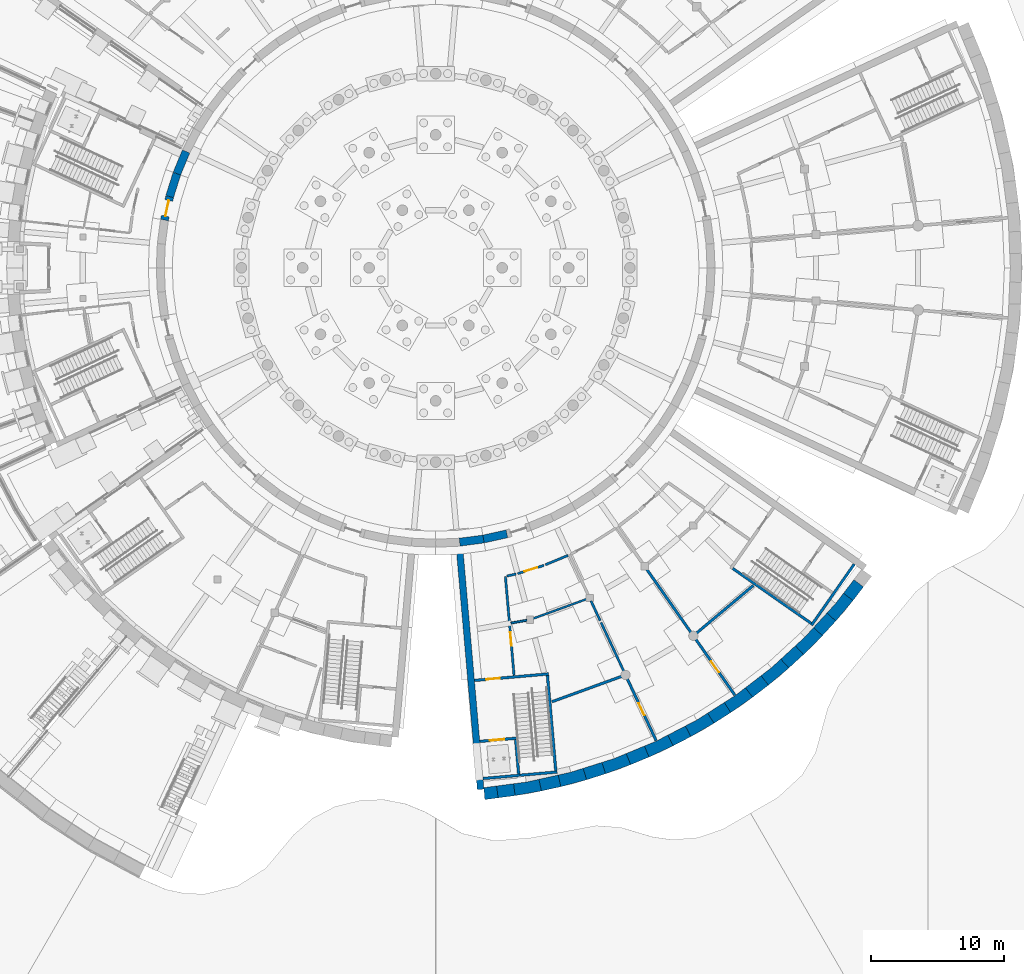
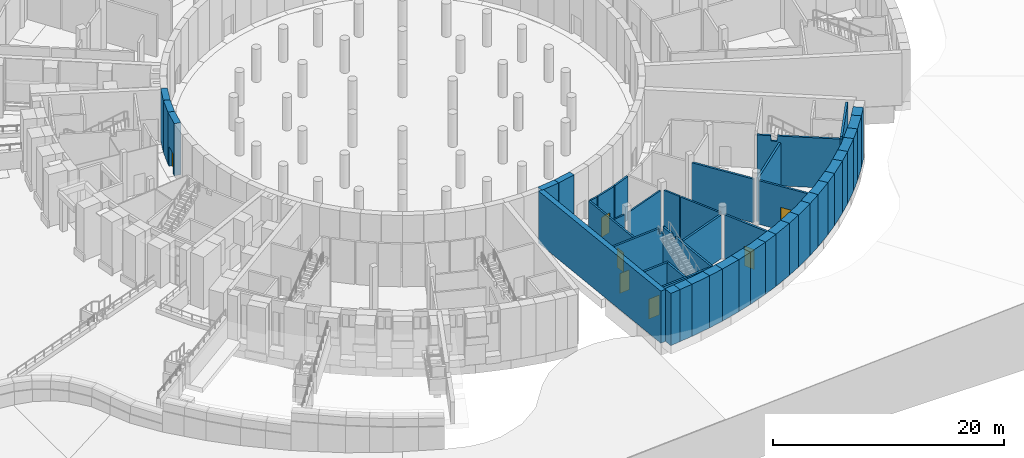
# One storey, part 40 of 65: 47 walls, 7 doors, 7 openings.
"""IFC4 building model written with IfcOpenShell, lengths in metres."""

from ifc_helpers import new_model, si_unit, direction, frame, frame_2d, origin, place, context, subcontext, project, spatial, polyline, rectangle, outline, extrude, material, layer, layer_set, type_object, element, fill, save


model = new_model("IFC4")

# Units and contexts
model_context = context("Model", 3, precision=1e-05, world=origin(), true_north=direction((0.0, 1.0)))
body_context = subcontext(model_context, "Body", "Model", "MODEL_VIEW")
ifc_project = project(units=[si_unit("LENGTHUNIT", "METRE"), si_unit("AREAUNIT", "SQUARE_METRE"), si_unit("VOLUMEUNIT", "CUBIC_METRE"), si_unit("PLANEANGLEUNIT", "RADIAN"), si_unit("MASSUNIT", "GRAM", prefix="KILO")], contexts=[model_context])

# Site, building, storey
site_placement = place(None, origin())
site = spatial("IfcSite", under=ifc_project, at=site_placement, CompositionType="ELEMENT")
building_placement = place(site_placement, origin())
building = spatial("IfcBuilding", under=site, at=building_placement, Name="Volute Hill Aquarium", CompositionType="ELEMENT")
storey_placement = place(building_placement, frame((0.0, 0.0, -5.5)))
storey = spatial("IfcBuildingStorey", under=building, at=storey_placement, Name="L00", CompositionType="ELEMENT", Elevation=-5.5)

# Walls
ifc_material_1 = material(Name="Gypsum board on steel studs", Category="steel")
ifc_layer_1 = layer(ifc_material_1, 0.14990234375)
ifc_layer_set_1 = layer_set([ifc_layer_1], Name="Acoustic partition 150")
wall_type_1 = type_object("IfcWallType", Name="Acoustic partition 150", PredefinedType="PARTITIONING", material=ifc_layer_set_1)
wall_1_placement = place(storey_placement, frame((11.347412109375, -24.899658203125, 0.0), z_axis=(0.0, 0.0, 1.0), x_axis=(-0.939698761805, -0.342003270543, 0.0)))
element("IfcWall", 1, at=wall_1_placement, inside=storey, type_object=wall_type_1, Name="pw/S3/L00/008", PredefinedType="PARTITIONING", context=body_context, shape_type="SweptSolid", body=[
    extrude(rectangle(XDim=4.2939453125, YDim=0.14990234375, at=frame_2d((2.14697265625, 0.0))), origin(), (0.0, 0.0, 1.0), 4.610107421875),
])
wall_2_placement = place(storey_placement, frame((6.85107421875, -26.49169921875, 0.0), z_axis=(0.0, 0.0, 1.0), x_axis=(-0.984775389783, -0.173831618753, 0.0)))
element("IfcWall", 2, at=wall_2_placement, inside=storey, type_object=wall_type_1, Name="pw/S3/L00/020", PredefinedType="PARTITIONING", context=body_context, shape_type="SweptSolid", body=[
    extrude(rectangle(XDim=1.20361328125, YDim=0.14990234375, at=frame_2d((0.601806640625, 0.0))), origin(), (0.0, 0.0, 1.0), 4.610107421875),
])

# Wall, opening, door
ifc_material_2 = material(Name="Concrete C30/37", Category="concrete")
ifc_layer_2 = layer(ifc_material_2, 0.199951171875)
ifc_layer_set_2 = layer_set([ifc_layer_2], Name="Core wall 200 REI 60")
wall_type_2 = type_object("IfcWallType", Name="Core wall 200 REI 60", PredefinedType="SHEAR", material=ifc_layer_set_2)
wall_3_placement = place(storey_placement, frame((2.9140625, -31.013916015625, 0.0), z_axis=(0.0, 0.0, 1.0), x_axis=(0.996195468136, 0.08714694065, 0.0)))
wall_3 = element("IfcWall", 3, at=wall_3_placement, inside=storey, type_object=wall_type_2, Name="wc/S3-A/L00/in", PredefinedType="SHEAR", context=body_context, shape_type="SweptSolid", body=[
    extrude(outline(polyline([(0.0, 0.0), (5.60009765625, 0.0), (5.60009765625, 5.25), (5.574951171875, 5.25), (5.52490234375, 4.679931640625), (5.02490234375, 4.679931640625), (4.97509765625, 5.25), (0.0, 5.25), (0.0, 0.0)])), frame((0.0, 0.10009765625, 0.0), z_axis=(0.0, -1.0, 0.0), x_axis=(1.0, 0.0, 0.0)), (0.0, 0.0, 1.0), 0.199951171875),
])
opening_1_placement = place(wall_3_placement, frame((0.89990234375, 0.0, 0.0)))
opening_1 = element("IfcOpeningElement", 4, at=opening_1_placement, cuts=wall_3, Name="Opening D3.00.AS", PredefinedType="OPENING", context=body_context, shape_type="SweptSolid", body=[
    extrude(rectangle(XDim=1.0, YDim=2.10009765625, at=frame_2d((0.5, 1.050048828125))), frame((0.0, 0.10986328125, 0.0), z_axis=(0.0, -1.0, 0.0), x_axis=(1.0, 0.0, 0.0)), (0.0, 0.0, 1.0), 0.219970703125),
])
ifc_material_3 = material(Name="Timber, fire-rated", Category="wood")
door_type_1 = type_object("IfcDoorType", Name="Door 1000 x 2100 single EI1 30", OperationType="SINGLE_SWING_LEFT", PredefinedType="DOOR", material=ifc_material_3)
door_1_placement = place(opening_1_placement, origin())
door_1 = element("IfcDoor", 5, at=door_1_placement, inside=storey, type_object=door_type_1, Name="d/S3-A/L00/st", OperationType="SINGLE_SWING_RIGHT", OverallHeight=2.10009765625, OverallWidth=1.0, PredefinedType="DOOR", context=body_context, shape_type="SweptSolid", body=[
    extrude(rectangle(XDim=1.0, YDim=2.10009765625, at=frame_2d((0.5, 1.050048828125))), frame((0.0, 0.02490234375, 0.0), z_axis=(0.0, -1.0, 0.0), x_axis=(1.0, 0.0, 0.0)), (0.0, 0.0, 1.0), 0.050048828125),
])
fill(opening_1, door_1)

# Walls
wall_4_placement = place(storey_placement, frame((8.40185546875, -30.63427734375, 0.0), z_axis=(0.0, 0.0, 1.0), x_axis=(0.087144656612, -0.996195667941, 0.0)))
element("IfcWall", 6, at=wall_4_placement, inside=storey, type_object=wall_type_2, Name="wc/S3-A/L00/side", PredefinedType="SHEAR", context=body_context, shape_type="SweptSolid", body=[
    extrude(outline(polyline([(0.0, 0.0), (7.199951171875, 0.0), (7.199951171875, 5.25), (1.7939453125, 5.25), (1.743896484375, 4.679931640625), (1.243896484375, 4.679931640625), (1.194091796875, 5.25), (0.0, 5.25), (0.0, 0.0)])), frame((0.0, 0.10009765625, 0.0), z_axis=(0.0, -1.0, 0.0), x_axis=(1.0, 0.0, 0.0)), (0.0, 0.0, 1.0), 0.199951171875),
])
wall_5_placement = place(storey_placement, frame((6.348388671875, -38.141845703125, 0.0), z_axis=(0.0, 0.0, 1.0), x_axis=(0.996191351034, 0.087193991338, 0.0)))
element("IfcWall", 7, at=wall_5_placement, inside=storey, type_object=wall_type_2, Name="wc/S3-A/L00/out-b", PredefinedType="SHEAR", context=body_context, shape_type="SweptSolid", body=[
    extrude(outline(polyline([(0.0, 0.0), (2.800048828125, 0.0), (2.800048828125, 5.25), (2.75, 4.72998046875), (2.44482421875, 4.72998046875), (2.39501953125, 5.25), (0.0, 5.25), (0.0, 0.0)])), frame((0.0, 0.10009765625, 0.0), z_axis=(0.0, -1.0, 0.0), x_axis=(1.0, 0.0, 0.0)), (0.0, 0.0, 1.0), 0.199951171875),
])
wall_6_placement = place(storey_placement, frame((22.3291015625, -22.593505859375, 0.0), z_axis=(0.0, 0.0, 1.0), x_axis=(0.819161821637, -0.573562472597, 0.0)))
element("IfcWall", 8, at=wall_6_placement, inside=storey, type_object=wall_type_2, Name="wc/S3-B/L00/side", PredefinedType="SHEAR", context=body_context, shape_type="SweptSolid", body=[
    extrude(outline(polyline([(0.0, 0.0), (7.199951171875, 0.0), (7.199951171875, 5.25), (1.794189453125, 5.25), (1.744140625, 4.679931640625), (1.244140625, 4.679931640625), (1.194091796875, 5.25), (0.0, 5.25), (0.0, 0.0)])), frame((0.0, 0.10009765625, 0.0), z_axis=(0.0, -1.0, 0.0), x_axis=(1.0, 0.0, 0.0)), (0.0, 0.0, 1.0), 0.199951171875),
])
wall_7_placement = place(storey_placement, frame((31.463623046875, -22.275146484375, 0.0), z_axis=(0.0, 0.0, 1.0), x_axis=(-0.573550118428, -0.819170471667, 0.0)))
element("IfcWall", 9, at=wall_7_placement, inside=storey, type_object=wall_type_2, Name="wc/S3-B/L00/out", PredefinedType="SHEAR", context=body_context, shape_type="SweptSolid", body=[
    extrude(outline(polyline([(0.0, 0.0), (5.60009765625, 0.0), (5.60009765625, 5.25), (5.550048828125, 4.72998046875), (5.24462890625, 4.72998046875), (5.194580078125, 5.25), (0.0, 5.25), (0.0, 0.0)])), frame((0.0, 0.10009765625, 0.0), z_axis=(0.0, -1.0, 0.0), x_axis=(1.0, 0.0, 0.0)), (0.0, 0.0, 1.0), 0.199951171875),
])

# Wall, opening, door
ifc_material_4 = material(Name="Gypsum board on steel studs", Category="steel")
ifc_layer_3 = layer(ifc_material_4, 0.175048828125)
ifc_layer_set_3 = layer_set([ifc_layer_3], Name="Corridor partition 175 EI 60")
wall_type_3 = type_object("IfcWallType", Name="Corridor partition 175 EI 60", PredefinedType="PARTITIONING", material=ifc_layer_set_3)
wall_8_placement = place(storey_placement, frame((5.2412109375, -23.192626953125, 0.0), z_axis=(0.0, 0.0, 1.0), x_axis=(0.087164920084, -0.996193895136, 0.0)))
wall_8 = element("IfcWall", 10, at=wall_8_placement, inside=storey, type_object=wall_type_3, Name="pw/S3/L00/002", PredefinedType="PARTITIONING", context=body_context, shape_type="SweptSolid", body=[
    extrude(rectangle(XDim=7.458740234375, YDim=0.175048828125, at=frame_2d((3.7294921875, 0.0))), origin(), (0.0, 0.0, 1.0), 4.610107421875),
])
opening_2_placement = place(wall_8_placement, frame((4.2294921875, 0.0, 0.0)))
opening_2 = element("IfcOpeningElement", 11, at=opening_2_placement, cuts=wall_8, Name="Opening D3.00.03", PredefinedType="OPENING", context=body_context, shape_type="SweptSolid", body=[
    extrude(rectangle(XDim=1.0, YDim=2.10009765625, at=frame_2d((0.5, 1.050048828125))), frame((0.0, 0.097412109375, 0.0), z_axis=(0.0, -1.0, 0.0), x_axis=(1.0, 0.0, 0.0)), (0.0, 0.0, 1.0), 0.195068359375),
])
door_2_placement = place(opening_2_placement, origin())
door_2 = element("IfcDoor", 12, at=door_2_placement, inside=storey, type_object=door_type_1, Name="d/S3/L00/03", OperationType="SINGLE_SWING_LEFT", OverallHeight=2.10009765625, OverallWidth=1.0, PredefinedType="DOOR", context=body_context, shape_type="SweptSolid", body=[
    extrude(rectangle(XDim=1.0, YDim=2.10009765625, at=frame_2d((0.5, 1.050048828125))), frame((0.0, 0.02490234375, 0.0), z_axis=(0.0, -1.0, 0.0), x_axis=(1.0, 0.0, 0.0)), (0.0, 0.0, 1.0), 0.050048828125),
])
fill(opening_2, door_2)

# Wall
wall_9_placement = place(storey_placement, frame((12.429931640625, -26.656005859375, 0.0), z_axis=(0.0, 0.0, 1.0), x_axis=(0.422628880051, -0.906302835561, 0.0)))
element("IfcWall", 13, at=wall_9_placement, inside=storey, type_object=wall_type_3, Name="pw/S3/L00/010", PredefinedType="PARTITIONING", context=body_context, shape_type="SweptSolid", body=[
    extrude(rectangle(XDim=4.115234375, YDim=0.175048828125, at=frame_2d((2.0576171875, 0.0))), origin(), (0.0, 0.0, 1.0), 4.610107421875),
])

# Wall, opening, door
wall_10_placement = place(storey_placement, frame((8.14013671875, -22.36474609375, 0.0), z_axis=(0.0, 0.0, 1.0), x_axis=(-0.953730050022, -0.300664250759, 0.0)))
wall_10 = element("IfcWall", 14, at=wall_10_placement, inside=storey, type_object=wall_type_3, Name="pw/S3/L00/015", PredefinedType="PARTITIONING", context=body_context, shape_type="SweptSolid", body=[
    extrude(rectangle(XDim=2.076416015625, YDim=0.175048828125, at=frame_2d((1.0380859375, 0.0))), origin(), (0.0, 0.0, 1.0), 4.610107421875),
])
opening_3_placement = place(wall_10_placement, frame((0.5380859375, 0.0, 0.0)))
opening_3 = element("IfcOpeningElement", 15, at=opening_3_placement, cuts=wall_10, Name="Opening D3.00.02", PredefinedType="OPENING", context=body_context, shape_type="SweptSolid", body=[
    extrude(rectangle(XDim=1.0, YDim=2.10009765625, at=frame_2d((0.5, 1.050048828125))), frame((0.0, 0.097412109375, 0.0), z_axis=(0.0, -1.0, 0.0), x_axis=(1.0, 0.0, 0.0)), (0.0, 0.0, 1.0), 0.195068359375),
])
door_3_placement = place(opening_3_placement, origin())
door_3 = element("IfcDoor", 16, at=door_3_placement, inside=storey, type_object=door_type_1, Name="d/S3/L00/02", OperationType="SINGLE_SWING_RIGHT", OverallHeight=2.10009765625, OverallWidth=1.0, PredefinedType="DOOR", context=body_context, shape_type="SweptSolid", body=[
    extrude(rectangle(XDim=1.0, YDim=2.10009765625, at=frame_2d((0.5, 1.050048828125))), frame((0.0, 0.02490234375, 0.0), z_axis=(0.0, -1.0, 0.0), x_axis=(1.0, 0.0, 0.0)), (0.0, 0.0, 1.0), 0.050048828125),
])
fill(opening_3, door_3)

# Walls
wall_11_placement = place(storey_placement, frame((9.94970703125, -21.614990234375, 0.0), z_axis=(0.0, 0.0, 1.0), x_axis=(-0.923890787601, -0.382656259044, 0.0)))
element("IfcWall", 17, at=wall_11_placement, inside=storey, type_object=wall_type_3, Name="pw/S3/L00/017", PredefinedType="PARTITIONING", context=body_context, shape_type="SweptSolid", body=[
    extrude(rectangle(XDim=1.84130859375, YDim=0.175048828125, at=frame_2d((0.920654296875, 0.0))), origin(), (0.0, 0.0, 1.0), 4.610107421875),
])
wall_12_placement = place(storey_placement, frame((11.674072265625, -25.034912109375, 0.0), z_axis=(0.0, 0.0, 1.0), x_axis=(0.422616329409, -0.906308688095, 0.0)))
element("IfcWall", 18, at=wall_12_placement, inside=storey, type_object=wall_type_3, Name="pw/S3/L00/019", PredefinedType="PARTITIONING", context=body_context, shape_type="SweptSolid", body=[
    extrude(rectangle(XDim=1.638916015625, YDim=0.175048828125, at=frame_2d((0.8193359375, 0.0))), origin(), (0.0, 0.0, 1.0), 4.610107421875),
])
wall_13_placement = place(storey_placement, frame((6.045166015625, -23.014404296875, 0.0), z_axis=(0.0, 0.0, 1.0), x_axis=(-0.976284608058, -0.216491025379, 0.0)))
element("IfcWall", 19, at=wall_13_placement, inside=storey, type_object=wall_type_3, Name="pw/S3/L00/022", PredefinedType="PARTITIONING", context=body_context, shape_type="SweptSolid", body=[
    extrude(rectangle(XDim=0.7060546875, YDim=0.175048828125, at=frame_2d((0.35302734375, 0.0))), origin(), (0.0, 0.0, 1.0), 4.610107421875),
])
ifc_material_5 = material(Name="Concrete C35/45", Category="concrete")
ifc_layer_4 = layer(ifc_material_5, 0.60009765625)
ifc_layer_set_4 = layer_set([ifc_layer_4], Name="Drum wall C35/45 600")
wall_type_4 = type_object("IfcWallType", Name="Drum wall C35/45 600", PredefinedType="SHEAR", material=ifc_layer_set_4)
wall_14_placement = place(storey_placement, frame((-18.760498046875, 8.748291015625, 0.0), z_axis=(0.0, 0.0, 1.0), x_axis=(-0.382713954298, -0.923866889322, 0.0)))
element("IfcWall", 20, at=wall_14_placement, inside=storey, type_object=wall_type_4, Name="sw/DR/L00/31", PredefinedType="SHEAR", context=body_context, shape_type="SweptSolid", body=[
    extrude(rectangle(XDim=1.805908203125, YDim=0.60009765625, at=frame_2d((0.90283203125, 0.0))), origin(), (0.0, 0.0, 1.0), 5.5),
])
wall_15_placement = place(storey_placement, frame((-19.45166015625, 7.079833984375, 0.0), z_axis=(0.0, 0.0, 1.0), x_axis=(-0.300691330354, -0.953721512733, 0.0)))
element("IfcWall", 21, at=wall_15_placement, inside=storey, type_object=wall_type_4, Name="sw/DR/L00/32", PredefinedType="SHEAR", context=body_context, shape_type="SweptSolid", body=[
    extrude(rectangle(XDim=1.8056640625, YDim=0.60009765625, at=frame_2d((0.90283203125, 0.0))), origin(), (0.0, 0.0, 1.0), 5.5),
])

# Wall, opening, door
wall_16_placement = place(storey_placement, frame((-19.99462890625, 5.357666015625, 0.0), z_axis=(0.0, 0.0, 1.0), x_axis=(-0.216429453554, -0.976298259567, 0.0)))
wall_16 = element("IfcWall", 22, at=wall_16_placement, inside=storey, type_object=wall_type_4, Name="sw/DR/L00/33", PredefinedType="SHEAR", context=body_context, shape_type="SweptSolid", body=[
    extrude(rectangle(XDim=1.805908203125, YDim=0.60009765625, at=frame_2d((0.90283203125, 0.0))), origin(), (0.0, 0.0, 1.0), 5.5),
])
opening_4_placement = place(wall_16_placement, frame((0.302978515625, 0.0, 0.0)))
opening_4 = element("IfcOpeningElement", 23, at=opening_4_placement, cuts=wall_16, Name="Opening D1.00.R1", PredefinedType="OPENING", context=body_context, shape_type="SweptSolid", body=[
    extrude(rectangle(XDim=1.199951171875, YDim=2.10009765625, at=frame_2d((0.60009765625, 1.050048828125))), frame((0.0, 0.31005859375, 0.0), z_axis=(0.0, -1.0, 0.0), x_axis=(1.0, 0.0, 0.0)), (0.0, 0.0, 1.0), 0.6201171875),
])
ifc_material_6 = material(Name="Timber, fire-rated", Category="wood")
door_type_2 = type_object("IfcDoorType", Name="Door 1200 x 2100 drum double EI1 30", OperationType="DOUBLE_DOOR_SINGLE_SWING", PredefinedType="DOOR", material=ifc_material_6)
door_4_placement = place(opening_4_placement, origin())
door_4 = element("IfcDoor", 24, at=door_4_placement, inside=storey, type_object=door_type_2, Name="d/S1/L00/dr1", OperationType="SINGLE_SWING_LEFT", OverallHeight=2.10009765625, OverallWidth=1.199951171875, PredefinedType="DOOR", context=body_context, shape_type="SweptSolid", body=[
    extrude(rectangle(XDim=1.199951171875, YDim=2.10009765625, at=frame_2d((0.60009765625, 1.050048828125))), frame((0.0, 0.02490234375, 0.0), z_axis=(0.0, -1.0, 0.0), x_axis=(1.0, 0.0, 0.0)), (0.0, 0.0, 1.0), 0.050048828125),
])
fill(opening_4, door_4)

# Walls
wall_17_placement = place(storey_placement, frame((1.80419921875, -20.62109375, 0.0), z_axis=(0.0, 0.0, 1.0), x_axis=(0.991451994433, 0.130471999813, 0.0)))
element("IfcWall", 25, at=wall_17_placement, inside=storey, type_object=wall_type_4, Name="sw/DR/L00/55", PredefinedType="SHEAR", context=body_context, shape_type="SweptSolid", body=[
    extrude(rectangle(XDim=1.8056640625, YDim=0.60009765625, at=frame_2d((0.90283203125, 0.0))), origin(), (0.0, 0.0, 1.0), 5.5),
])
wall_18_placement = place(storey_placement, frame((3.594482421875, -20.385498046875, 0.0), z_axis=(0.0, 0.0, 1.0), x_axis=(0.976298259567, 0.216429453554, 0.0)))
element("IfcWall", 26, at=wall_18_placement, inside=storey, type_object=wall_type_4, Name="sw/DR/L00/56", PredefinedType="SHEAR", context=body_context, shape_type="SweptSolid", body=[
    extrude(rectangle(XDim=1.805908203125, YDim=0.60009765625, at=frame_2d((0.90283203125, 0.0))), origin(), (0.0, 0.0, 1.0), 5.5),
])
ifc_material_7 = material(Name="Concrete C35/45", Category="concrete")
ifc_layer_5 = layer(ifc_material_7, 0.5)
ifc_layer_set_5 = layer_set([ifc_layer_5], Name="End wall 500 C35/45")
wall_type_5 = type_object("IfcWallType", Name="End wall 500 C35/45", PredefinedType="SHEAR", material=ifc_layer_set_5)
wall_19_placement = place(storey_placement, frame((1.771728515625, -20.82470703125, 0.0), z_axis=(0.0, 0.0, 1.0), x_axis=(0.087162354101, -0.996194119651, 0.0)))
element("IfcWall", 27, at=wall_19_placement, inside=storey, type_object=wall_type_5, Name="sw/S3/L00/endA", PredefinedType="SHEAR", context=body_context, shape_type="SweptSolid", body=[
    extrude(rectangle(XDim=18.4501953125, YDim=0.5, at=frame_2d((9.22509765625, 0.0))), origin(), (0.0, 0.0, 1.0), 5.5),
])
ifc_material_8 = material(Name="Masonry blockwork", Category="masonry")
ifc_layer_6 = layer(ifc_material_8, 0.199951171875)
ifc_layer_set_6 = layer_set([ifc_layer_6], Name="Fire partition 200 EI 60")
wall_type_6 = type_object("IfcWallType", Name="Fire partition 200 EI 60", PredefinedType="PARTITIONING", material=ifc_layer_set_6)
wall_20_placement = place(storey_placement, frame((19.230224609375, -27.463623046875, 0.0), z_axis=(0.0, 0.0, 1.0), x_axis=(-0.573565028322, 0.819160032158, 0.0)))
element("IfcWall", 28, at=wall_20_placement, inside=storey, type_object=wall_type_6, Name="pw/S3/L00/003", PredefinedType="PARTITIONING", context=body_context, shape_type="SweptSolid", body=[
    extrude(rectangle(XDim=5.90380859375, YDim=0.199951171875, at=frame_2d((2.951904296875, 0.0))), origin(), (0.0, 0.0, 1.0), 4.610107421875),
])
wall_21_placement = place(storey_placement, frame((14.045166015625, -30.68505859375, 0.0), z_axis=(0.0, 0.0, 1.0), x_axis=(-0.939689857066, -0.342027736489, 0.0)))
element("IfcWall", 29, at=wall_21_placement, inside=storey, type_object=wall_type_6, Name="pw/S3/L00/004", PredefinedType="PARTITIONING", context=body_context, shape_type="SweptSolid", body=[
    extrude(rectangle(XDim=5.646240234375, YDim=0.199951171875, at=frame_2d((2.8232421875, 0.0))), origin(), (0.0, 0.0, 1.0), 4.610107421875),
])
wall_22_placement = place(storey_placement, frame((23.876708984375, -23.876708984375, 0.0), z_axis=(0.0, 0.0, 1.0), x_axis=(-0.766054856191, -0.642775199666, 0.0)))
element("IfcWall", 30, at=wall_22_placement, inside=storey, type_object=wall_type_6, Name="pw/S3/L00/005", PredefinedType="PARTITIONING", context=body_context, shape_type="SweptSolid", body=[
    extrude(rectangle(XDim=5.64599609375, YDim=0.199951171875, at=frame_2d((2.822998046875, 0.0))), origin(), (0.0, 0.0, 1.0), 4.610107421875),
])

# Wall, opening, door
wall_23_placement = place(storey_placement, frame((16.5751953125, -35.54541015625, 0.0), z_axis=(0.0, 0.0, 1.0), x_axis=(-0.422659862642, 0.906288387056, 0.0)))
wall_23 = element("IfcWall", 31, at=wall_23_placement, inside=storey, type_object=wall_type_6, Name="pw/S3/L00/006", PredefinedType="PARTITIONING", context=body_context, shape_type="SweptSolid", body=[
    extrude(rectangle(XDim=5.213623046875, YDim=0.199951171875, at=frame_2d((2.60693359375, 0.0))), origin(), (0.0, 0.0, 1.0), 4.610107421875),
])
opening_5_placement = place(wall_23_placement, frame((2.106689453125, 0.0, 0.0)))
opening_5 = element("IfcOpeningElement", 32, at=opening_5_placement, cuts=wall_23, Name="Opening D3.00.06", PredefinedType="OPENING", context=body_context, shape_type="SweptSolid", body=[
    extrude(rectangle(XDim=1.0, YDim=2.10009765625, at=frame_2d((0.5, 1.050048828125))), frame((0.0, 0.10986328125, 0.0), z_axis=(0.0, -1.0, 0.0), x_axis=(1.0, 0.0, 0.0)), (0.0, 0.0, 1.0), 0.219970703125),
])
door_5_placement = place(opening_5_placement, origin())
door_5 = element("IfcDoor", 33, at=door_5_placement, inside=storey, type_object=door_type_1, Name="d/S3/L00/06", OperationType="SINGLE_SWING_RIGHT", OverallHeight=2.10009765625, OverallWidth=1.0, PredefinedType="DOOR", context=body_context, shape_type="SweptSolid", body=[
    extrude(rectangle(XDim=1.0, YDim=2.10009765625, at=frame_2d((0.5, 1.050048828125))), frame((0.0, 0.02490234375, 0.0), z_axis=(0.0, -1.0, 0.0), x_axis=(1.0, 0.0, 0.0)), (0.0, 0.0, 1.0), 0.050048828125),
])
fill(opening_5, door_5)

wall_24_placement = place(storey_placement, frame((19.50537109375, -27.8564453125, 0.0), z_axis=(0.0, 0.0, 1.0), x_axis=(0.573553483217, -0.819168115767, 0.0)))
wall_24 = element("IfcWall", 34, at=wall_24_placement, inside=storey, type_object=wall_type_6, Name="pw/S3/L00/007", PredefinedType="PARTITIONING", context=body_context, shape_type="SweptSolid", body=[
    extrude(rectangle(XDim=5.213623046875, YDim=0.199951171875, at=frame_2d((2.60693359375, 0.0))), origin(), (0.0, 0.0, 1.0), 4.610107421875),
])
opening_6_placement = place(wall_24_placement, frame((2.106689453125, 0.0, 0.0)))
opening_6 = element("IfcOpeningElement", 35, at=opening_6_placement, cuts=wall_24, Name="Opening D3.00.07", PredefinedType="OPENING", context=body_context, shape_type="SweptSolid", body=[
    extrude(rectangle(XDim=1.0, YDim=2.39990234375, at=frame_2d((0.5, 1.199951171875))), frame((0.0, 0.10986328125, 0.0), z_axis=(0.0, -1.0, 0.0), x_axis=(1.0, 0.0, 0.0)), (0.0, 0.0, 1.0), 0.219970703125),
])
ifc_material_9 = material(Name="Steel, fire-rated", Category="steel")
door_type_3 = type_object("IfcDoorType", Name="Door 1000 x 2400 laboratory EI1 30", OperationType="SINGLE_SWING_LEFT", PredefinedType="DOOR", material=ifc_material_9)
door_6_placement = place(opening_6_placement, origin())
door_6 = element("IfcDoor", 36, at=door_6_placement, inside=storey, type_object=door_type_3, Name="d/S3/L00/07", OperationType="SINGLE_SWING_LEFT", OverallHeight=2.39990234375, OverallWidth=1.0, PredefinedType="DOOR", context=body_context, shape_type="SweptSolid", body=[
    extrude(rectangle(XDim=1.0, YDim=2.39990234375, at=frame_2d((0.5, 1.199951171875))), frame((0.0, 0.02490234375, 0.0), z_axis=(0.0, -1.0, 0.0), x_axis=(1.0, 0.0, 0.0)), (0.0, 0.0, 1.0), 0.050048828125),
])
fill(opening_6, door_6)

# Walls
ifc_material_10 = material(Name="Precast concrete C40/50", Category="concrete")
ifc_layer_7 = layer(ifc_material_10, 0.89990234375)
ifc_layer_set_7 = layer_set([ifc_layer_7], Name="Outer pier precast concrete C40/50 900")
wall_type_7 = type_object("IfcWallType", Name="Outer pier precast concrete C40/50 900", PredefinedType="NOTDEFINED", material=ifc_layer_set_7)
wall_25_placement = place(storey_placement, origin())
element("IfcWall", 37, at=wall_25_placement, inside=storey, type_object=wall_type_7, Name="Outer pier OWP S3 L00 1", PredefinedType="NOTDEFINED", context=body_context, shape_type="SweptSolid", body=[
    extrude(outline(polyline([(3.619384765625, -39.073974609375), (3.69775390625, -39.971435546875), (4.69580078125, -39.840087890625), (4.578369140625, -38.94775390625), (3.619384765625, -39.073974609375)])), origin(), (0.0, 0.0, 1.0), 5.5),
])
wall_26_placement = place(storey_placement, origin())
element("IfcWall", 38, at=wall_26_placement, inside=storey, type_object=wall_type_7, Name="Outer pier OWP S3 L00 2", PredefinedType="NOTDEFINED", context=body_context, shape_type="SweptSolid", body=[
    extrude(outline(polyline([(5.8564453125, -38.779541015625), (5.973876953125, -39.671875), (7.954833984375, -39.322509765625), (7.760009765625, -38.44384765625), (6.815673828125, -38.6533203125), (5.8564453125, -38.779541015625)])), origin(), (0.0, 0.0, 1.0), 5.5),
])
wall_27_placement = place(storey_placement, origin())
element("IfcWall", 39, at=wall_27_placement, inside=storey, type_object=wall_type_7, Name="Outer pier OWP S3 L00 3", PredefinedType="NOTDEFINED", context=body_context, shape_type="SweptSolid", body=[
    extrude(outline(polyline([(9.2138671875, -38.12158203125), (9.40869140625, -39.000244140625), (11.351806640625, -38.479736328125), (11.0810546875, -37.621337890625), (10.158447265625, -37.912109375), (9.2138671875, -38.12158203125)])), origin(), (0.0, 0.0, 1.0), 5.5),
])
wall_28_placement = place(storey_placement, origin())
element("IfcWall", 40, at=wall_28_placement, inside=storey, type_object=wall_type_7, Name="Outer pier OWP S3 L00 4", PredefinedType="NOTDEFINED", context=body_context, shape_type="SweptSolid", body=[
    extrude(outline(polyline([(12.50146484375, -37.173583984375), (12.77197265625, -38.03173828125), (14.662353515625, -37.34375), (14.31787109375, -36.51220703125), (13.424072265625, -36.882568359375), (12.50146484375, -37.173583984375)])), origin(), (0.0, 0.0, 1.0), 5.5),
])
wall_29_placement = place(storey_placement, origin())
element("IfcWall", 41, at=wall_29_placement, inside=storey, type_object=wall_type_7, Name="Outer pier OWP S3 L00 5", PredefinedType="NOTDEFINED", context=body_context, shape_type="SweptSolid", body=[
    extrude(outline(polyline([(15.69384765625, -35.9423828125), (16.0380859375, -36.77392578125), (17.861328125, -35.923828125), (17.445556640625, -35.12548828125), (16.587646484375, -35.572265625), (15.69384765625, -35.9423828125)])), origin(), (0.0, 0.0, 1.0), 5.5),
])
wall_30_placement = place(storey_placement, origin())
element("IfcWall", 42, at=wall_30_placement, inside=storey, type_object=wall_type_7, Name="Outer pier OWP S3 L00 6", PredefinedType="NOTDEFINED", context=body_context, shape_type="SweptSolid", body=[
    extrude(outline(polyline([(18.7666015625, -34.437744140625), (19.18212890625, -35.236083984375), (20.92431640625, -34.23046875), (20.440673828125, -33.471435546875), (19.624755859375, -33.9912109375), (18.7666015625, -34.437744140625)])), origin(), (0.0, 0.0, 1.0), 5.5),
])
wall_31_placement = place(storey_placement, origin())
element("IfcWall", 43, at=wall_31_placement, inside=storey, type_object=wall_type_7, Name="Outer pier OWP S3 L00 7", PredefinedType="NOTDEFINED", context=body_context, shape_type="SweptSolid", body=[
    extrude(outline(polyline([(21.69677734375, -32.671142578125), (22.18017578125, -33.43017578125), (23.828125, -32.2763671875), (23.280029296875, -31.5625), (22.5126953125, -32.1513671875), (21.69677734375, -32.671142578125)])), origin(), (0.0, 0.0, 1.0), 5.5),
])
wall_32_placement = place(storey_placement, origin())
element("IfcWall", 44, at=wall_32_placement, inside=storey, type_object=wall_type_7, Name="Outer pier OWP S3 L00 8", PredefinedType="NOTDEFINED", context=body_context, shape_type="SweptSolid", body=[
    extrude(outline(polyline([(24.461669921875, -30.65576171875), (25.009521484375, -31.369873046875), (26.550537109375, -30.076904296875), (25.9423828125, -29.413330078125), (25.22900390625, -30.06689453125), (24.461669921875, -30.65576171875)])), origin(), (0.0, 0.0, 1.0), 5.5),
])
wall_33_placement = place(storey_placement, origin())
element("IfcWall", 45, at=wall_33_placement, inside=storey, type_object=wall_type_7, Name="Outer pier OWP S3 L00 9", PredefinedType="NOTDEFINED", context=body_context, shape_type="SweptSolid", body=[
    extrude(outline(polyline([(27.040283203125, -28.4072265625), (27.6484375, -29.07080078125), (29.07080078125, -27.6484375), (28.4072265625, -27.040283203125), (27.753662109375, -27.753662109375), (27.040283203125, -28.4072265625)])), origin(), (0.0, 0.0, 1.0), 5.5),
])
wall_34_placement = place(storey_placement, origin())
element("IfcWall", 46, at=wall_34_placement, inside=storey, type_object=wall_type_7, Name="Outer pier OWP S3 L00 10", PredefinedType="NOTDEFINED", context=body_context, shape_type="SweptSolid", body=[
    extrude(outline(polyline([(29.413330078125, -25.9423828125), (30.076904296875, -26.550537109375), (31.369873046875, -25.009521484375), (30.65576171875, -24.461669921875), (30.06689453125, -25.22900390625), (29.413330078125, -25.9423828125)])), origin(), (0.0, 0.0, 1.0), 5.5),
])
ifc_material_11 = material(Name="Concrete C40/50", Category="concrete")
ifc_layer_8 = layer(ifc_material_11, 0.89990234375)
ifc_layer_set_8 = layer_set([ifc_layer_8], Name="Plinth wall limestone clad 900")
wall_type_8 = type_object("IfcWallType", Name="Plinth wall limestone clad 900", PredefinedType="NOTDEFINED", material=ifc_layer_set_8)
wall_35_placement = place(storey_placement, frame((5.915283203125, -39.225830078125, 0.0), z_axis=(0.0, 0.0, 1.0), x_axis=(-0.991449782625, -0.130488806156, 0.0)))
element("IfcWall", 47, at=wall_35_placement, inside=storey, type_object=wall_type_8, Name="Plinth wall OWL S3 L00 1", PredefinedType="NOTDEFINED", context=body_context, shape_type="SweptSolid", body=[
    extrude(rectangle(XDim=1.2890625, YDim=0.89990234375, at=frame_2d((0.64453125, 0.0))), origin(), (0.0, 0.0, 1.0), 5.5),
])
for number, where, z_axis, x_axis, name in (
    (48, (9.311279296875, -38.56103515625, 0.0), (0.0, 0.0, 1.0), (-0.976302648363, -0.216409655053, 0.0), "Plinth wall OWL S3 L00 2"),
    (49, (12.63671875, -37.6025390625, 0.0), (0.0, 0.0, 1.0), (-0.953674298594, -0.300841041417, 0.0), "Plinth wall OWL S3 L00 3"),
    (50, (15.865966796875, -36.358154296875, 0.0), (0.0, 0.0, 1.0), (-0.923908951424, -0.382612401104, 0.0), "Plinth wall OWL S3 L00 4"),
    (51, (18.974365234375, -34.8369140625, 0.0), (0.0, 0.0, 1.0), (-0.886996620005, -0.46177591546, 0.0), "Plinth wall OWL S3 L00 5"),
    (52, (21.9384765625, -33.05078125, 0.0), (0.0, 0.0, 1.0), (-0.843445411017, -0.537214890555, 0.0), "Plinth wall OWL S3 L00 6"),
):
    element("IfcWall", number, at=place(storey_placement, frame(where, z_axis=z_axis, x_axis=x_axis)), inside=storey, type_object=wall_type_8, Name=name, PredefinedType="NOTDEFINED", context=body_context, shape_type="SweptSolid", body=[
        extrude(rectangle(XDim=1.4892578125, YDim=0.89990234375, at=frame_2d((0.74462890625, 0.0))), origin(), (0.0, 0.0, 1.0), 5.5),
    ])
wall_36_placement = place(storey_placement, frame((24.735595703125, -31.012939453125, 0.0), z_axis=(0.0, 0.0, 1.0), x_axis=(-0.793360885909, -0.608751595243, 0.0)))
element("IfcWall", 53, at=wall_36_placement, inside=storey, type_object=wall_type_8, Name="Plinth wall OWL S3 L00 7", PredefinedType="NOTDEFINED", context=body_context, shape_type="SweptSolid", body=[
    extrude(rectangle(XDim=1.489013671875, YDim=0.89990234375, at=frame_2d((0.74462890625, 0.0))), origin(), (0.0, 0.0, 1.0), 5.5),
])
for number, where, z_axis, x_axis, name in (
    (54, (27.34423828125, -28.739013671875, 0.0), (0.0, 0.0, 1.0), (-0.737256210135, -0.675613262612, 0.0), "Plinth wall OWL S3 L00 8"),
    (55, (29.7451171875, -26.24658203125, 0.0), (0.0, 0.0, 1.0), (-0.675613262612, -0.737256210135, 0.0), "Plinth wall OWL S3 L00 9"),
):
    element("IfcWall", number, at=place(storey_placement, frame(where, z_axis=z_axis, x_axis=x_axis)), inside=storey, type_object=wall_type_8, Name=name, PredefinedType="NOTDEFINED", context=body_context, shape_type="SweptSolid", body=[
        extrude(rectangle(XDim=1.4892578125, YDim=0.89990234375, at=frame_2d((0.74462890625, 0.0))), origin(), (0.0, 0.0, 1.0), 5.5),
    ])
wall_37_placement = place(storey_placement, frame((31.797607421875, -23.712890625, 0.0), z_axis=(0.0, 0.0, 1.0), x_axis=(-0.608721761392, -0.793383776749, 0.0)))
element("IfcWall", 56, at=wall_37_placement, inside=storey, type_object=wall_type_8, Name="Plinth wall OWL S3 L00 10", PredefinedType="NOTDEFINED", context=body_context, shape_type="SweptSolid", body=[
    extrude(rectangle(XDim=1.2890625, YDim=0.89990234375, at=frame_2d((0.64453125, 0.0))), origin(), (0.0, 0.0, 1.0), 5.5),
])
ifc_material_12 = material(Name="Concrete C30/37", Category="concrete")
ifc_layer_9 = layer(ifc_material_12, 0.199951171875)
ifc_layer_set_9 = layer_set([ifc_layer_9], Name="Shaft wall 200 EI 60")
wall_type_9 = type_object("IfcWallType", Name="Shaft wall 200 EI 60", PredefinedType="SOLIDWALL", material=ifc_layer_set_9)
wall_38_placement = place(storey_placement, frame((3.55908203125, -38.385986328125, 0.0), z_axis=(0.0, 0.0, 1.0), x_axis=(0.996191351034, 0.087193991338, 0.0)))
element("IfcWall", 57, at=wall_38_placement, inside=storey, type_object=wall_type_9, Name="wc/S3-A/L00/out-a", PredefinedType="SOLIDWALL", context=body_context, shape_type="SweptSolid", body=[
    extrude(rectangle(XDim=2.800048828125, YDim=0.199951171875, at=frame_2d((1.39990234375, 0.0))), origin(), (0.0, 0.0, 1.0), 5.25),
])

# Wall, opening, door
wall_39_placement = place(storey_placement, frame((3.315185546875, -35.596435546875, 0.0), z_axis=(0.0, 0.0, 1.0), x_axis=(0.996198921169, 0.087107459278, 0.0)))
wall_39 = element("IfcWall", 58, at=wall_39_placement, inside=storey, type_object=wall_type_9, Name="wc/S3-A/L00/front", PredefinedType="SOLIDWALL", context=body_context, shape_type="SweptSolid", body=[
    extrude(rectangle(XDim=2.800048828125, YDim=0.199951171875, at=frame_2d((1.39990234375, 0.0))), origin(), (0.0, 0.0, 1.0), 5.25),
])
opening_7_placement = place(wall_39_placement, frame((0.75, 0.0, 0.0)))
opening_7 = element("IfcOpeningElement", 59, at=opening_7_placement, cuts=wall_39, Name="Opening LD3.00.A", PredefinedType="OPENING", context=body_context, shape_type="SweptSolid", body=[
    extrude(rectangle(XDim=1.10009765625, YDim=2.10009765625, at=frame_2d((0.550048828125, 1.050048828125))), frame((0.0, 0.10986328125, 0.0), z_axis=(0.0, -1.0, 0.0), x_axis=(1.0, 0.0, 0.0)), (0.0, 0.0, 1.0), 0.219970703125),
])
ifc_material_13 = material(Name="Stainless steel", Category="steel")
door_type_4 = type_object("IfcDoorType", Name="Lift landing door 1100 x 2100", OperationType="SLIDING_TO_LEFT", PredefinedType="DOOR", material=ifc_material_13)
door_7_placement = place(opening_7_placement, origin())
door_7 = element("IfcDoor", 60, at=door_7_placement, inside=storey, type_object=door_type_4, Name="d/S3-A/L00/ld", OperationType="SLIDING_TO_LEFT", OverallHeight=2.10009765625, OverallWidth=1.10009765625, PredefinedType="DOOR", context=body_context, shape_type="SweptSolid", body=[
    extrude(rectangle(XDim=1.10009765625, YDim=2.10009765625, at=frame_2d((0.550048828125, 1.050048828125))), frame((0.0, 0.02490234375, 0.0), z_axis=(0.0, -1.0, 0.0), x_axis=(1.0, 0.0, 0.0)), (0.0, 0.0, 1.0), 0.050048828125),
])
fill(opening_7, door_7)

# Wall
wall_40_placement = place(storey_placement, frame((6.013427734375, -35.460693359375, 0.0), z_axis=(0.0, 0.0, 1.0), x_axis=(0.087140158824, -0.996196061386, 0.0)))
element("IfcWall", 61, at=wall_40_placement, inside=storey, type_object=wall_type_9, Name="wc/S3-A/L00/shaft-side", PredefinedType="SOLIDWALL", context=body_context, shape_type="SweptSolid", body=[
    extrude(rectangle(XDim=2.60009765625, YDim=0.199951171875, at=frame_2d((1.300048828125, 0.0))), origin(), (0.0, 0.0, 1.0), 5.25),
])

save(model, "model.ifc")
